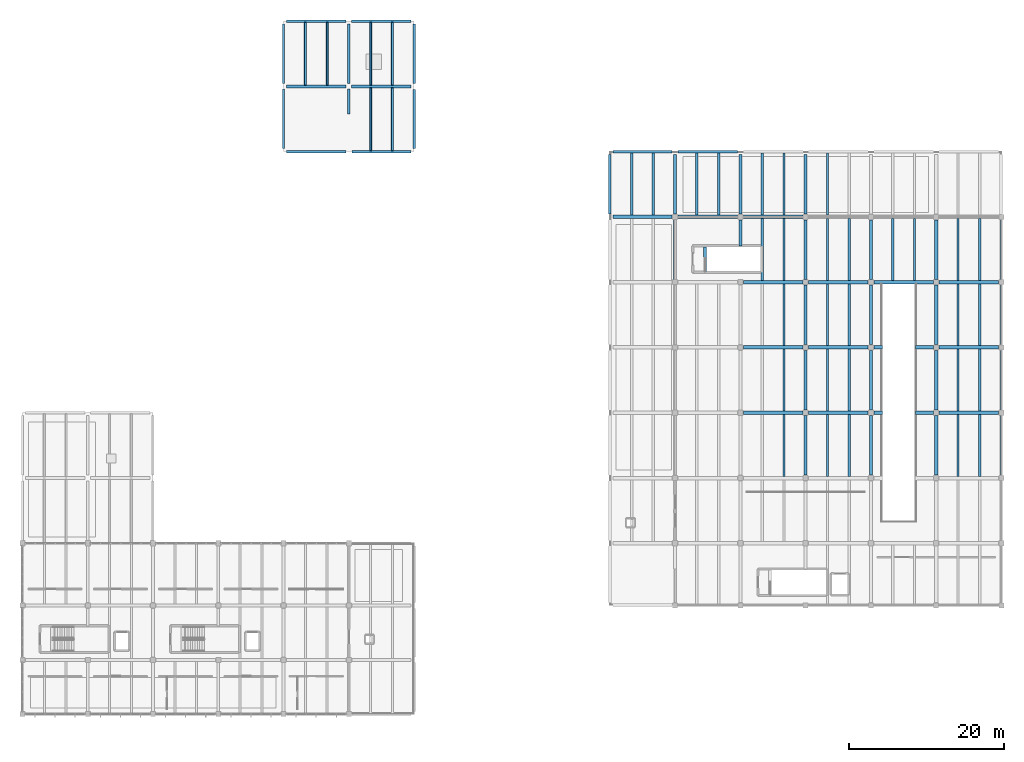
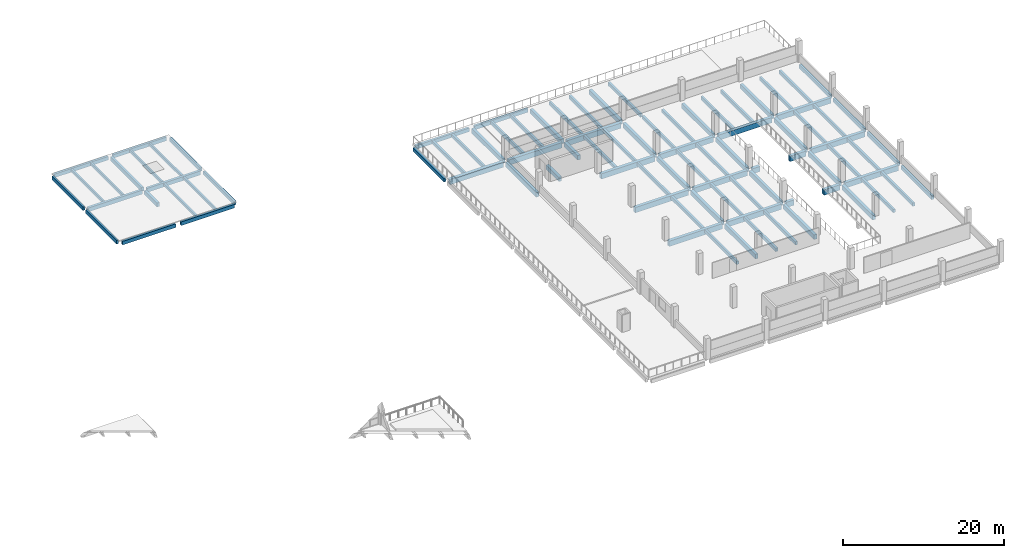
# One storey, part 20 of 33: 90 beams.
"""IFC4 building model written with IfcOpenShell, lengths in metres."""

import ifcopenshell
import ifcopenshell.guid

model = None  # the IFC model being written
_history = None  # IfcOwnerHistory: only IFC2X3 demands one
_inside = {}  # id of a spatial element -> (the spatial element, [elements in it])
_under = {}  # id of a project, library or spatial element -> (it, [spatial elements below it])
_declared = {}  # id of a project -> (the project, [libraries it declares])
_typed = {}  # id of a type object -> (the type object, [elements of that type])
_made_of = {}  # id of a material, layer set ... -> (it, [elements and type objects made of it])


def new_model(schema):
    """Start an empty IFC model of exactly this schema.

    Asked for "IFC4X3", IfcOpenShell would pick the latest addendum, in which some entities
    have other attributes; the version numbers below select the first issue.
    IFC2X3 requires an IfcOwnerHistory on every rooted entity: one is made here for all.
    """
    global model, _history
    if schema == "IFC4X3":
        model = ifcopenshell.file(schema_version=(4, 3, 0, 0))
    else:
        model = ifcopenshell.file(schema=schema)
    _inside.clear()
    _under.clear()
    _declared.clear()
    _typed.clear()
    _made_of.clear()
    _history = None
    if model.schema == "IFC2X3":
        org = make("IfcOrganization", Name="unknown")
        user = make(
            "IfcPersonAndOrganization",
            ThePerson=make("IfcPerson", FamilyName="unknown"),
            TheOrganization=org,
        )
        app = make(
            "IfcApplication",
            ApplicationDeveloper=org,
            Version="unknown",
            ApplicationFullName="unknown",
            ApplicationIdentifier="unknown",
        )
        _history = make(
            "IfcOwnerHistory",
            OwningUser=user,
            OwningApplication=app,
            ChangeAction="ADDED",
            CreationDate=0,
        )
    return model


def make(cls, **values):
    """One entity of the class cls with the attributes given. An attribute that is None is left unset."""
    return model.create_entity(
        cls, **{name: value for name, value in values.items() if value is not None}
    )


def rooted(cls, **values):
    """An entity with a GlobalId (a new one), such as an element, a storey or a relation."""
    return make(cls, GlobalId=ifcopenshell.guid.new(), OwnerHistory=_history, **values)


def si_unit(unit_type, name, prefix=None):
    """IfcSIUnit, for example si_unit("LENGTHUNIT", "METRE", prefix="MILLI")."""
    return make("IfcSIUnit", UnitType=unit_type, Prefix=prefix, Name=name)


def assignment(units):
    """IfcUnitAssignment: the units of a project."""
    return None if units is None else make("IfcUnitAssignment", Units=units)


def point(xyz):
    """IfcCartesianPoint."""
    return None if xyz is None else make("IfcCartesianPoint", Coordinates=xyz)


def direction(xyz):
    """IfcDirection."""
    return None if xyz is None else make("IfcDirection", DirectionRatios=xyz)


def frame(location, z_axis=None, x_axis=None):
    """IfcAxis2Placement3D, a coordinate frame: its origin and axes. An axis left out is left unset."""
    return make(
        "IfcAxis2Placement3D",
        Location=point(location),
        Axis=direction(z_axis),
        RefDirection=direction(x_axis),
    )


def frame_2d(location, x_axis=None):
    """IfcAxis2Placement2D, a coordinate frame in the plane: its origin and x axis."""
    return make(
        "IfcAxis2Placement2D", Location=point(location), RefDirection=direction(x_axis)
    )


def origin():
    """The frame at (0, 0, 0) with its axes left unset."""
    return frame((0.0, 0.0, 0.0))


def origin_2d():
    """The frame at (0, 0) in the plane with its x axis left unset."""
    return frame_2d((0.0, 0.0))


def place(relative_to, where):
    """IfcLocalPlacement: puts the frame where relative to a parent placement (None: the world)."""
    return make(
        "IfcLocalPlacement", PlacementRelTo=relative_to, RelativePlacement=where
    )


def context(
    kind, dimensions, precision=None, world=None, true_north=None, identifier=None
):
    """IfcGeometricRepresentationContext, for example the 3D "Model" context."""
    return make(
        "IfcGeometricRepresentationContext",
        ContextIdentifier=identifier,
        ContextType=kind,
        CoordinateSpaceDimension=dimensions,
        Precision=precision,
        WorldCoordinateSystem=world,
        TrueNorth=true_north,
    )


def subcontext(parent, identifier, kind, view, scale=None):
    """IfcGeometricRepresentationSubContext, for example "Body" below "Model"."""
    return make(
        "IfcGeometricRepresentationSubContext",
        ContextIdentifier=identifier,
        ContextType=kind,
        ParentContext=parent,
        TargetScale=scale,
        TargetView=view,
    )


def project(units=None, contexts=None):
    """IfcProject with its units and contexts."""
    return rooted(
        "IfcProject",
        Name="project",
        RepresentationContexts=contexts,
        UnitsInContext=assignment(units),
    )


def spatial(cls, under=None, at=None, **own):
    """A site, building, storey or space (cls), placed at a placement, below another one or the project."""
    s = rooted(cls, ObjectPlacement=at, **own)
    if under is not None:
        _under.setdefault(under.id(), (under, []))[1].append(s)
    return s


def profile(cls, at=None, kind="AREA", **sizes):
    """A parametric profile (cls). Its sizes go by their IFC names, for example OverallWidth=200.0."""
    return make(cls, ProfileType=kind, Position=at, **sizes)


def rectangle(**sizes):
    """IfcRectangleProfileDef."""
    return profile("IfcRectangleProfileDef", **sizes)


def extrude(swept, where, along, depth):
    """IfcExtrudedAreaSolid: the profile swept, set in the frame where, extruded along a direction by depth."""
    return make(
        "IfcExtrudedAreaSolid",
        SweptArea=swept,
        Position=where,
        ExtrudedDirection=direction(along),
        Depth=depth,
    )


def shape(context_of_items, identifier, shape_type, items):
    """IfcShapeRepresentation: the items that make up one representation, for example the "Body"."""
    return make(
        "IfcShapeRepresentation",
        ContextOfItems=context_of_items,
        RepresentationIdentifier=identifier,
        RepresentationType=shape_type,
        Items=items,
    )


def material(Name=None, Category=None):
    """IfcMaterial."""
    return make("IfcMaterial", Name=Name, Category=Category)


def material_profile(
    of_material, cross_section, Name=None, Category=None, Priority=None
):
    """IfcMaterialProfile: a cross section and its material."""
    return make(
        "IfcMaterialProfile",
        Name=Name,
        Material=of_material,
        Profile=cross_section,
        Priority=Priority,
        Category=Category,
    )


def profile_set(profiles, Name=None, composite=None):
    """IfcMaterialProfileSet."""
    return make(
        "IfcMaterialProfileSet",
        Name=Name,
        MaterialProfiles=profiles,
        CompositeProfile=composite,
    )


def made_of(thing, what):
    """Note that an element or type object is made of a material, layer set ...; save() writes the relation."""
    if what is not None:
        _made_of.setdefault(what.id(), (what, []))[1].append(thing)
    return thing


def type_object(cls, material=None, **own):
    """A type object (cls), such as IfcWallType, which elements share."""
    return made_of(rooted(cls, **own), material)


def element(
    cls,
    number,
    at=None,
    inside=None,
    cuts=None,
    type_object=None,
    material=None,
    context=None,
    identifier="Body",
    shape_type=None,
    held_by="IfcProductDefinitionShape",
    body=None,
    shapes=None,
    **own,
):
    """One element of the class cls, such as IfcWall. Its Tag is "e" and its number.

    at: its placement. inside: the storey or other place that contains it. cuts: it is an
    opening in that element (IfcRelVoidsElement). A single representation is given by context,
    identifier, shape_type and body (its items); several are given by shapes. held_by: the class
    of the entity that holds the representations. save() writes the other relations.
    """
    e = rooted(cls, Tag="e%d" % number, ObjectPlacement=at, **own)
    if body is not None:
        shapes = [shape(context, identifier, shape_type, body)]
    if shapes is not None:
        e.Representation = make(held_by, Representations=shapes)
    if inside is not None:
        _inside.setdefault(inside.id(), (inside, []))[1].append(e)
    if cuts is not None:
        rooted(
            "IfcRelVoidsElement", RelatingBuildingElement=cuts, RelatedOpeningElement=e
        )
    if type_object is not None:
        _typed.setdefault(type_object.id(), (type_object, []))[1].append(e)
    return made_of(e, material)


def aggregate(whole, parts):
    """IfcRelAggregates: a whole, such as a stair, and the parts it consists of."""
    return rooted("IfcRelAggregates", RelatingObject=whole, RelatedObjects=parts)


def save(model, path):
    """Write the relations noted so far, then the file.

    IfcRelAggregates (storeys below a building ...), IfcRelContainedInSpatialStructure (elements
    in a storey), IfcRelDefinesByType, IfcRelAssociatesMaterial and IfcRelDeclares: one each for
    every whole, place, type object, material and project.
    """
    for whole, parts in _under.values():
        aggregate(whole, parts)
    for where, things in _inside.values():
        rooted(
            "IfcRelContainedInSpatialStructure",
            RelatedElements=things,
            RelatingStructure=where,
        )
    for kind, things in _typed.values():
        rooted("IfcRelDefinesByType", RelatedObjects=things, RelatingType=kind)
    for what, things in _made_of.values():
        rooted("IfcRelAssociatesMaterial", RelatedObjects=things, RelatingMaterial=what)
    for by, libraries in _declared.values():
        rooted("IfcRelDeclares", RelatingContext=by, RelatedDefinitions=libraries)
    model.write(path)


model = new_model("IFC4")

# Units and contexts
model_context = context("Model", 3, precision=1e-05, world=origin(), true_north=direction((0.0, 1.0)))
body_context = subcontext(model_context, "Body", "Model", "MODEL_VIEW")
ifc_project = project(units=[si_unit("LENGTHUNIT", "METRE"), si_unit("AREAUNIT", "SQUARE_METRE"), si_unit("VOLUMEUNIT", "CUBIC_METRE"), si_unit("PLANEANGLEUNIT", "RADIAN"), si_unit("MASSUNIT", "GRAM", prefix="KILO"), si_unit("THERMODYNAMICTEMPERATUREUNIT", "KELVIN"), si_unit("POWERUNIT", "WATT")], contexts=[model_context])

# Site, building, storey
site_placement = place(None, origin())
site = spatial("IfcSite", under=ifc_project, at=site_placement, CompositionType="ELEMENT")
building_placement = place(site_placement, origin())
building = spatial("IfcBuilding", under=site, at=building_placement, Name="Mavoryth Pier Ferry Terminal", CompositionType="ELEMENT")
storey_placement = place(building_placement, frame((0.0, 0.0, 13.1201171875)))
storey = spatial("IfcBuildingStorey", under=building, at=storey_placement, Name="L03", CompositionType="ELEMENT", Elevation=13.1201171875)

# Beams
ifc_material = material(Name="Concrete C35/45", Category="concrete")
ifc_material_profile_1 = material_profile(ifc_material, rectangle(XDim=0.35009765625, YDim=0.60009765625, at=origin_2d()), Name="RC 350x600", Category="concrete")
ifc_profile_set_1 = profile_set([ifc_material_profile_1], Name="Concrete C35/45 - RC 350x600")
beam_type_1 = type_object("IfcBeamType", Name="Girder-RC-350x600", PredefinedType="BEAM", material=ifc_profile_set_1)
beam_1_placement = place(storey_placement, frame((75.949951171875, 80.800048828125, -0.460205078125), z_axis=(1.0, 0.0, 0.0), x_axis=(0.0, 1.0, 0.0)))
element("IfcBeam", 1, at=beam_1_placement, inside=storey, type_object=beam_type_1, Name="Beam B03-BG08-1047", PredefinedType="BEAM", context=body_context, shape_type="SweptSolid", body=[
    extrude(rectangle(XDim=0.35009765625, YDim=0.60009765625, at=origin_2d()), origin(), (0.0, 0.0, 1.0), 7.699951171875),
])
beam_2_placement = place(storey_placement, frame((84.35009765625, 80.800048828125, -0.460205078125), z_axis=(1.0, 0.0, 0.0), x_axis=(0.0, 1.0, 0.0)))
element("IfcBeam", 2, at=beam_2_placement, inside=storey, type_object=beam_type_1, Name="Beam B03-BG08-1048", PredefinedType="BEAM", context=body_context, shape_type="SweptSolid", body=[
    extrude(rectangle(XDim=0.35009765625, YDim=0.60009765625, at=origin_2d()), origin(), (0.0, 0.0, 1.0), 7.659912109375),
])
beam_3_placement = place(storey_placement, frame((84.0, 77.280029296875, -0.460205078125), z_axis=(0.0, 1.0, 0.0), x_axis=(-1.0, 0.0, 0.0)))
element("IfcBeam", 3, at=beam_3_placement, inside=storey, type_object=beam_type_1, Name="Beam B03-BG08-1053", PredefinedType="BEAM", context=body_context, shape_type="SweptSolid", body=[
    extrude(rectangle(XDim=0.35009765625, YDim=0.60009765625, at=origin_2d()), origin(), (0.0, 0.0, 1.0), 3.169921875),
])
beam_4_placement = place(storey_placement, frame((84.0, 81.14990234375, -0.460205078125), z_axis=(0.0, 1.0, 0.0), x_axis=(-1.0, 0.0, 0.0)))
element("IfcBeam", 4, at=beam_4_placement, inside=storey, type_object=beam_type_1, Name="Beam B03-BG08-1054", PredefinedType="BEAM", context=body_context, shape_type="SweptSolid", body=[
    extrude(rectangle(XDim=0.35009765625, YDim=0.60009765625, at=origin_2d()), origin(), (0.0, 0.0, 1.0), 7.7001953125),
])
ifc_material_profile_2 = material_profile(ifc_material, rectangle(XDim=0.39990234375, YDim=0.64990234375, at=origin_2d()), Name="RC 400x650", Category="concrete")
ifc_profile_set_2 = profile_set([ifc_material_profile_2], Name="Concrete C35/45 - RC 400x650")
beam_type_2 = type_object("IfcBeamType", Name="Girder-RC-400x650", PredefinedType="BEAM", material=ifc_profile_set_2)
beam_5_placement = place(storey_placement, frame((129.820068359375, 57.0, -0.3251953125), z_axis=(0.0, 1.0, 0.0), x_axis=(-1.0, 0.0, 0.0)))
element("IfcBeam", 5, at=beam_5_placement, inside=storey, type_object=beam_type_2, Name="Beam B03-BG05-1583", PredefinedType="BEAM", context=body_context, shape_type="SweptSolid", body=[
    extrude(rectangle(XDim=0.39990234375, YDim=0.64990234375, at=origin_2d()), origin(), (0.0, 0.0, 1.0), 3.14990234375),
])
ifc_material_profile_3 = material_profile(ifc_material, rectangle(XDim=0.39990234375, YDim=0.699951171875, at=origin_2d()), Name="RC 400x700", Category="concrete")
ifc_profile_set_3 = profile_set([ifc_material_profile_3], Name="Concrete C35/45 - RC 400x700")
beam_type_3 = type_object("IfcBeamType", Name="Girder-RC-400x700", PredefinedType="BEAM", material=ifc_profile_set_3)
for number, where, z_axis, x_axis, name in (
    (6, (126.0, 55.97509765625, -0.710205078125), (0.0, 1.0, 0.0), (-1.0, 0.0, 0.0), "Beam B03-BG04-1126"),
    (7, (126.0, 64.375, -0.710205078125), (0.0, 1.0, 0.0), (-1.0, 0.0, 0.0), "Beam B03-BG04-1127"),
):
    element("IfcBeam", number, at=place(storey_placement, frame(where, z_axis=z_axis, x_axis=x_axis)), inside=storey, type_object=beam_type_3, Name=name, PredefinedType="BEAM", context=body_context, shape_type="SweptSolid", body=[
        extrude(rectangle(XDim=0.39990234375, YDim=0.699951171875, at=origin_2d()), origin(), (0.0, 0.0, 1.0), 7.64990234375),
    ])
beam_6_placement = place(storey_placement, frame((134.39990234375, 60.280029296875, -0.650146484375), z_axis=(0.0, 1.0, 0.0), x_axis=(-1.0, 0.0, 0.0)))
element("IfcBeam", 8, at=beam_6_placement, inside=storey, type_object=beam_type_3, Name="Beam B03-BG04-1133", PredefinedType="BEAM", context=body_context, shape_type="SweptSolid", body=[
    extrude(rectangle(XDim=0.39990234375, YDim=0.699951171875, at=origin_2d()), origin(), (0.0, 0.0, 1.0), 3.344970703125),
])
beam_7_placement = place(storey_placement, frame((134.39990234375, 64.375, -0.710205078125), z_axis=(0.0, 1.0, 0.0), x_axis=(-1.0, 0.0, 0.0)))
element("IfcBeam", 9, at=beam_7_placement, inside=storey, type_object=beam_type_3, Name="Beam B03-BG04-1134", PredefinedType="BEAM", context=body_context, shape_type="SweptSolid", body=[
    extrude(rectangle(XDim=0.39990234375, YDim=0.699951171875, at=origin_2d()), origin(), (0.0, 0.0, 1.0), 7.64990234375),
])
beam_8_placement = place(storey_placement, frame((142.800048828125, 30.77490234375, -0.650146484375), z_axis=(0.0, 1.0, 0.0), x_axis=(-1.0, 0.0, 0.0)))
element("IfcBeam", 10, at=beam_8_placement, inside=storey, type_object=beam_type_3, Name="Beam B03-BG04-1137", PredefinedType="BEAM", context=body_context, shape_type="SweptSolid", body=[
    extrude(rectangle(XDim=0.39990234375, YDim=0.699951171875, at=origin_2d()), origin(), (0.0, 0.0, 1.0), 7.650146484375),
])
beam_9_placement = place(storey_placement, frame((142.800048828125, 39.175048828125, -0.650146484375), z_axis=(0.0, 1.0, 0.0), x_axis=(-1.0, 0.0, 0.0)))
element("IfcBeam", 11, at=beam_9_placement, inside=storey, type_object=beam_type_3, Name="Beam B03-BG04-1138", PredefinedType="BEAM", context=body_context, shape_type="SweptSolid", body=[
    extrude(rectangle(XDim=0.39990234375, YDim=0.699951171875, at=origin_2d()), origin(), (0.0, 0.0, 1.0), 7.64990234375),
])
beam_10_placement = place(storey_placement, frame((142.800048828125, 47.574951171875, -0.650146484375), z_axis=(0.0, 1.0, 0.0), x_axis=(-1.0, 0.0, 0.0)))
element("IfcBeam", 12, at=beam_10_placement, inside=storey, type_object=beam_type_3, Name="Beam B03-BG04-1139", PredefinedType="BEAM", context=body_context, shape_type="SweptSolid", body=[
    extrude(rectangle(XDim=0.39990234375, YDim=0.699951171875, at=origin_2d()), origin(), (0.0, 0.0, 1.0), 7.650146484375),
])
for number, where, z_axis, x_axis, name in (
    (13, (142.800048828125, 55.97509765625, -0.650146484375), (0.0, 1.0, 0.0), (-1.0, 0.0, 0.0), "Beam B03-BG04-1140"),
    (14, (142.800048828125, 64.375, -0.710205078125), (0.0, 1.0, 0.0), (-1.0, 0.0, 0.0), "Beam B03-BG04-1141"),
):
    element("IfcBeam", number, at=place(storey_placement, frame(where, z_axis=z_axis, x_axis=x_axis)), inside=storey, type_object=beam_type_3, Name=name, PredefinedType="BEAM", context=body_context, shape_type="SweptSolid", body=[
        extrude(rectangle(XDim=0.39990234375, YDim=0.699951171875, at=origin_2d()), origin(), (0.0, 0.0, 1.0), 7.64990234375),
    ])
beam_11_placement = place(storey_placement, frame((151.199951171875, 30.77490234375, -0.650146484375), z_axis=(0.0, 1.0, 0.0), x_axis=(-1.0, 0.0, 0.0)))
element("IfcBeam", 15, at=beam_11_placement, inside=storey, type_object=beam_type_3, Name="Beam B03-BG04-1144", PredefinedType="BEAM", context=body_context, shape_type="SweptSolid", body=[
    extrude(rectangle(XDim=0.39990234375, YDim=0.699951171875, at=origin_2d()), origin(), (0.0, 0.0, 1.0), 7.650146484375),
])
beam_12_placement = place(storey_placement, frame((151.199951171875, 39.175048828125, -0.650146484375), z_axis=(0.0, 1.0, 0.0), x_axis=(-1.0, 0.0, 0.0)))
element("IfcBeam", 16, at=beam_12_placement, inside=storey, type_object=beam_type_3, Name="Beam B03-BG04-1145", PredefinedType="BEAM", context=body_context, shape_type="SweptSolid", body=[
    extrude(rectangle(XDim=0.39990234375, YDim=0.699951171875, at=origin_2d()), origin(), (0.0, 0.0, 1.0), 7.64990234375),
])
beam_13_placement = place(storey_placement, frame((151.199951171875, 47.574951171875, -0.650146484375), z_axis=(0.0, 1.0, 0.0), x_axis=(-1.0, 0.0, 0.0)))
element("IfcBeam", 17, at=beam_13_placement, inside=storey, type_object=beam_type_3, Name="Beam B03-BG04-1146", PredefinedType="BEAM", context=body_context, shape_type="SweptSolid", body=[
    extrude(rectangle(XDim=0.39990234375, YDim=0.699951171875, at=origin_2d()), origin(), (0.0, 0.0, 1.0), 7.650146484375),
])
beam_14_placement = place(storey_placement, frame((151.199951171875, 55.97509765625, -0.650146484375), z_axis=(0.0, 1.0, 0.0), x_axis=(-1.0, 0.0, 0.0)))
element("IfcBeam", 18, at=beam_14_placement, inside=storey, type_object=beam_type_3, Name="Beam B03-BG04-1147", PredefinedType="BEAM", context=body_context, shape_type="SweptSolid", body=[
    extrude(rectangle(XDim=0.39990234375, YDim=0.699951171875, at=origin_2d()), origin(), (0.0, 0.0, 1.0), 7.64990234375),
])
beam_15_placement = place(storey_placement, frame((159.60009765625, 30.77490234375, -0.650146484375), z_axis=(0.0, 1.0, 0.0), x_axis=(-1.0, 0.0, 0.0)))
element("IfcBeam", 19, at=beam_15_placement, inside=storey, type_object=beam_type_3, Name="Beam B03-BG04-1151", PredefinedType="BEAM", context=body_context, shape_type="SweptSolid", body=[
    extrude(rectangle(XDim=0.39990234375, YDim=0.699951171875, at=origin_2d()), origin(), (0.0, 0.0, 1.0), 7.650146484375),
])
beam_16_placement = place(storey_placement, frame((159.60009765625, 39.175048828125, -0.650146484375), z_axis=(0.0, 1.0, 0.0), x_axis=(-1.0, 0.0, 0.0)))
element("IfcBeam", 20, at=beam_16_placement, inside=storey, type_object=beam_type_3, Name="Beam B03-BG04-1152", PredefinedType="BEAM", context=body_context, shape_type="SweptSolid", body=[
    extrude(rectangle(XDim=0.39990234375, YDim=0.699951171875, at=origin_2d()), origin(), (0.0, 0.0, 1.0), 7.64990234375),
])
beam_17_placement = place(storey_placement, frame((159.60009765625, 47.574951171875, -0.650146484375), z_axis=(0.0, 1.0, 0.0), x_axis=(-1.0, 0.0, 0.0)))
element("IfcBeam", 21, at=beam_17_placement, inside=storey, type_object=beam_type_3, Name="Beam B03-BG04-1153", PredefinedType="BEAM", context=body_context, shape_type="SweptSolid", body=[
    extrude(rectangle(XDim=0.39990234375, YDim=0.699951171875, at=origin_2d()), origin(), (0.0, 0.0, 1.0), 7.650146484375),
])
beam_18_placement = place(storey_placement, frame((159.60009765625, 55.97509765625, -0.650146484375), z_axis=(0.0, 1.0, 0.0), x_axis=(-1.0, 0.0, 0.0)))
element("IfcBeam", 22, at=beam_18_placement, inside=storey, type_object=beam_type_3, Name="Beam B03-BG04-1154", PredefinedType="BEAM", context=body_context, shape_type="SweptSolid", body=[
    extrude(rectangle(XDim=0.39990234375, YDim=0.699951171875, at=origin_2d()), origin(), (0.0, 0.0, 1.0), 7.64990234375),
])
ifc_material_profile_4 = material_profile(ifc_material, rectangle(XDim=0.449951171875, YDim=0.800048828125, at=origin_2d()), Name="RC 450x800", Category="concrete")
ifc_profile_set_4 = profile_set([ifc_material_profile_4], Name="Concrete C35/45 - RC 450x800")
beam_type_4 = type_object("IfcBeamType", Name="Girder-RC-450x800", PredefinedType="BEAM", material=ifc_profile_set_4)
beam_19_placement = place(storey_placement, frame((134.77490234375, 38.800048828125, -0.7001953125), z_axis=(1.0, 0.0, 0.0), x_axis=(0.0, 1.0, 0.0)))
element("IfcBeam", 23, at=beam_19_placement, inside=storey, type_object=beam_type_4, Name="Beam B03-BG01-1084", PredefinedType="BEAM", context=body_context, shape_type="SweptSolid", body=[
    extrude(rectangle(XDim=0.449951171875, YDim=0.800048828125, at=origin_2d()), origin(), (0.0, 0.0, 1.0), 7.650146484375),
])
beam_20_placement = place(storey_placement, frame((143.175048828125, 38.800048828125, -0.7001953125), z_axis=(1.0, 0.0, 0.0), x_axis=(0.0, 1.0, 0.0)))
element("IfcBeam", 24, at=beam_20_placement, inside=storey, type_object=beam_type_4, Name="Beam B03-BG01-1085", PredefinedType="BEAM", context=body_context, shape_type="SweptSolid", body=[
    extrude(rectangle(XDim=0.449951171875, YDim=0.800048828125, at=origin_2d()), origin(), (0.0, 0.0, 1.0), 7.64990234375),
])
beam_21_placement = place(storey_placement, frame((151.574951171875, 38.800048828125, -0.7001953125), z_axis=(1.0, 0.0, 0.0), x_axis=(0.0, 1.0, 0.0)))
element("IfcBeam", 25, at=beam_21_placement, inside=storey, type_object=beam_type_4, Name="Beam B03-BG01-1086", PredefinedType="BEAM", context=body_context, shape_type="SweptSolid", body=[
    extrude(rectangle(XDim=0.449951171875, YDim=0.800048828125, at=origin_2d()), origin(), (0.0, 0.0, 1.0), 1.0849609375),
])
beam_22_placement = place(storey_placement, frame((156.93994140625, 38.800048828125, -0.7001953125), z_axis=(1.0, 0.0, 0.0), x_axis=(0.0, 1.0, 0.0)))
element("IfcBeam", 26, at=beam_22_placement, inside=storey, type_object=beam_type_4, Name="Beam B03-BG01-1087", PredefinedType="BEAM", context=body_context, shape_type="SweptSolid", body=[
    extrude(rectangle(XDim=0.449951171875, YDim=0.800048828125, at=origin_2d()), origin(), (0.0, 0.0, 1.0), 2.28515625),
])
beam_23_placement = place(storey_placement, frame((159.97509765625, 38.800048828125, -0.7001953125), z_axis=(1.0, 0.0, 0.0), x_axis=(0.0, 1.0, 0.0)))
element("IfcBeam", 27, at=beam_23_placement, inside=storey, type_object=beam_type_4, Name="Beam B03-BG01-1088", PredefinedType="BEAM", context=body_context, shape_type="SweptSolid", body=[
    extrude(rectangle(XDim=0.449951171875, YDim=0.800048828125, at=origin_2d()), origin(), (0.0, 0.0, 1.0), 7.64990234375),
])
beam_24_placement = place(storey_placement, frame((134.77490234375, 47.199951171875, -0.7001953125), z_axis=(1.0, 0.0, 0.0), x_axis=(0.0, 1.0, 0.0)))
element("IfcBeam", 28, at=beam_24_placement, inside=storey, type_object=beam_type_4, Name="Beam B03-BG01-1091", PredefinedType="BEAM", context=body_context, shape_type="SweptSolid", body=[
    extrude(rectangle(XDim=0.449951171875, YDim=0.800048828125, at=origin_2d()), origin(), (0.0, 0.0, 1.0), 7.650146484375),
])
beam_25_placement = place(storey_placement, frame((143.175048828125, 47.199951171875, -0.7001953125), z_axis=(1.0, 0.0, 0.0), x_axis=(0.0, 1.0, 0.0)))
element("IfcBeam", 29, at=beam_25_placement, inside=storey, type_object=beam_type_4, Name="Beam B03-BG01-1092", PredefinedType="BEAM", context=body_context, shape_type="SweptSolid", body=[
    extrude(rectangle(XDim=0.449951171875, YDim=0.800048828125, at=origin_2d()), origin(), (0.0, 0.0, 1.0), 7.64990234375),
])
beam_26_placement = place(storey_placement, frame((151.574951171875, 47.199951171875, -0.7001953125), z_axis=(1.0, 0.0, 0.0), x_axis=(0.0, 1.0, 0.0)))
element("IfcBeam", 30, at=beam_26_placement, inside=storey, type_object=beam_type_4, Name="Beam B03-BG01-1093", PredefinedType="BEAM", context=body_context, shape_type="SweptSolid", body=[
    extrude(rectangle(XDim=0.449951171875, YDim=0.800048828125, at=origin_2d()), origin(), (0.0, 0.0, 1.0), 1.0849609375),
])
beam_27_placement = place(storey_placement, frame((156.93994140625, 47.199951171875, -0.7001953125), z_axis=(1.0, 0.0, 0.0), x_axis=(0.0, 1.0, 0.0)))
element("IfcBeam", 31, at=beam_27_placement, inside=storey, type_object=beam_type_4, Name="Beam B03-BG01-1094", PredefinedType="BEAM", context=body_context, shape_type="SweptSolid", body=[
    extrude(rectangle(XDim=0.449951171875, YDim=0.800048828125, at=origin_2d()), origin(), (0.0, 0.0, 1.0), 2.28515625),
])
beam_28_placement = place(storey_placement, frame((159.97509765625, 47.199951171875, -0.7001953125), z_axis=(1.0, 0.0, 0.0), x_axis=(0.0, 1.0, 0.0)))
element("IfcBeam", 32, at=beam_28_placement, inside=storey, type_object=beam_type_4, Name="Beam B03-BG01-1095", PredefinedType="BEAM", context=body_context, shape_type="SweptSolid", body=[
    extrude(rectangle(XDim=0.449951171875, YDim=0.800048828125, at=origin_2d()), origin(), (0.0, 0.0, 1.0), 7.64990234375),
])
beam_29_placement = place(storey_placement, frame((134.77490234375, 55.60009765625, -0.7001953125), z_axis=(1.0, 0.0, 0.0), x_axis=(0.0, 1.0, 0.0)))
element("IfcBeam", 33, at=beam_29_placement, inside=storey, type_object=beam_type_4, Name="Beam B03-BG01-1098", PredefinedType="BEAM", context=body_context, shape_type="SweptSolid", body=[
    extrude(rectangle(XDim=0.449951171875, YDim=0.800048828125, at=origin_2d()), origin(), (0.0, 0.0, 1.0), 7.650146484375),
])
beam_30_placement = place(storey_placement, frame((143.175048828125, 55.60009765625, -0.7001953125), z_axis=(1.0, 0.0, 0.0), x_axis=(0.0, 1.0, 0.0)))
element("IfcBeam", 34, at=beam_30_placement, inside=storey, type_object=beam_type_4, Name="Beam B03-BG01-1099", PredefinedType="BEAM", context=body_context, shape_type="SweptSolid", body=[
    extrude(rectangle(XDim=0.449951171875, YDim=0.800048828125, at=origin_2d()), origin(), (0.0, 0.0, 1.0), 7.64990234375),
])
beam_31_placement = place(storey_placement, frame((151.574951171875, 55.60009765625, -0.7001953125), z_axis=(1.0, 0.0, 0.0), x_axis=(0.0, 1.0, 0.0)))
element("IfcBeam", 35, at=beam_31_placement, inside=storey, type_object=beam_type_4, Name="Beam B03-BG01-1100", PredefinedType="BEAM", context=body_context, shape_type="SweptSolid", body=[
    extrude(rectangle(XDim=0.449951171875, YDim=0.800048828125, at=origin_2d()), origin(), (0.0, 0.0, 1.0), 7.650146484375),
])
for number, where, z_axis, x_axis, name in (
    (36, (159.97509765625, 55.60009765625, -0.7001953125), (1.0, 0.0, 0.0), (0.0, 1.0, 0.0), "Beam B03-BG01-1101"),
    (37, (117.97509765625, 64.0, -0.760009765625), (1.0, 0.0, 0.0), (0.0, 1.0, 0.0), "Beam B03-BG01-1102"),
    (38, (126.375, 64.0, -0.760009765625), (1.0, 0.0, 0.0), (0.0, 1.0, 0.0), "Beam B03-BG01-1103"),
):
    element("IfcBeam", number, at=place(storey_placement, frame(where, z_axis=z_axis, x_axis=x_axis)), inside=storey, type_object=beam_type_4, Name=name, PredefinedType="BEAM", context=body_context, shape_type="SweptSolid", body=[
        extrude(rectangle(XDim=0.449951171875, YDim=0.800048828125, at=origin_2d()), origin(), (0.0, 0.0, 1.0), 7.64990234375),
    ])
beam_32_placement = place(storey_placement, frame((134.77490234375, 64.0, -0.760009765625), z_axis=(1.0, 0.0, 0.0), x_axis=(0.0, 1.0, 0.0)))
element("IfcBeam", 39, at=beam_32_placement, inside=storey, type_object=beam_type_4, Name="Beam B03-BG01-1104", PredefinedType="BEAM", context=body_context, shape_type="SweptSolid", body=[
    extrude(rectangle(XDim=0.449951171875, YDim=0.800048828125, at=origin_2d()), origin(), (0.0, 0.0, 1.0), 7.650146484375),
])
ifc_material_profile_5 = material_profile(ifc_material, rectangle(XDim=0.239990234375, YDim=0.419921875, at=origin_2d()), Name="RC 240x420", Category="concrete")
ifc_profile_set_5 = profile_set([ifc_material_profile_5], Name="Concrete C35/45 - RC 240x420")
beam_type_5 = type_object("IfcBeamType", Name="Joist-RC-240x420", PredefinedType="JOIST", material=ifc_profile_set_5)
for number, where, z_axis, x_axis, name in (
    (40, (78.39990234375, 80.97509765625, -0.3701171875), (0.0, 1.0, 0.0), (-1.0, 0.0, 0.0), "Beam B03-BJ04-1057"),
    (41, (81.199951171875, 80.97509765625, -0.3701171875), (0.0, 1.0, 0.0), (-1.0, 0.0, 0.0), "Beam B03-BJ04-1058"),
    (42, (86.800048828125, 72.550048828125, -0.3701171875), (0.0, 1.0, 0.0), (-1.0, 0.0, 0.0), "Beam B03-BJ04-1059"),
    (43, (89.60009765625, 72.550048828125, -0.3701171875), (0.0, 1.0, 0.0), (-1.0, 0.0, 0.0), "Beam B03-BJ04-1060"),
    (44, (86.800048828125, 80.97509765625, -0.3701171875), (0.0, 1.0, 0.0), (-1.0, 0.0, 0.0), "Beam B03-BJ04-1061"),
    (45, (89.60009765625, 80.97509765625, -0.3701171875), (0.0, 1.0, 0.0), (-1.0, 0.0, 0.0), "Beam B03-BJ04-1062"),
):
    element("IfcBeam", number, at=place(storey_placement, frame(where, z_axis=z_axis, x_axis=x_axis)), inside=storey, type_object=beam_type_5, Name=name, PredefinedType="JOIST", context=body_context, shape_type="SweptSolid", body=[
        extrude(rectangle(XDim=0.239990234375, YDim=0.419921875, at=origin_2d()), origin(), (0.0, 0.0, 1.0), 8.074951171875),
    ])
ifc_material_profile_6 = material_profile(ifc_material, rectangle(XDim=0.300048828125, YDim=0.5, at=origin_2d()), Name="RC 300x500", Category="concrete")
ifc_profile_set_6 = profile_set([ifc_material_profile_6], Name="Concrete C35/45 - RC 300x500")
beam_type_6 = type_object("IfcBeamType", Name="Joist-RC-300x500", PredefinedType="JOIST", material=ifc_profile_set_6)
for number, where, z_axis, x_axis, name in (
    (46, (120.39990234375, 64.22509765625, -0.610107421875), (0.0, 1.0, 0.0), (-1.0, 0.0, 0.0), "Beam B03-BJ01-1173"),
    (47, (123.199951171875, 64.22509765625, -0.610107421875), (0.0, 1.0, 0.0), (-1.0, 0.0, 0.0), "Beam B03-BJ01-1174"),
    (48, (128.800048828125, 64.22509765625, -0.610107421875), (0.0, 1.0, 0.0), (-1.0, 0.0, 0.0), "Beam B03-BJ01-1185"),
    (49, (131.60009765625, 64.22509765625, -0.610107421875), (0.0, 1.0, 0.0), (-1.0, 0.0, 0.0), "Beam B03-BJ01-1186"),
):
    element("IfcBeam", number, at=place(storey_placement, frame(where, z_axis=z_axis, x_axis=x_axis)), inside=storey, type_object=beam_type_6, Name=name, PredefinedType="JOIST", context=body_context, shape_type="SweptSolid", body=[
        extrude(rectangle(XDim=0.300048828125, YDim=0.5, at=origin_2d()), origin(), (0.0, 0.0, 1.0), 8.014892578125),
    ])
beam_33_placement = place(storey_placement, frame((140.0, 30.625, -0.550048828125), z_axis=(0.0, 1.0, 0.0), x_axis=(-1.0, 0.0, 0.0)))
element("IfcBeam", 50, at=beam_33_placement, inside=storey, type_object=beam_type_6, Name="Beam B03-BJ01-1190", PredefinedType="JOIST", context=body_context, shape_type="SweptSolid", body=[
    extrude(rectangle(XDim=0.300048828125, YDim=0.5, at=origin_2d()), origin(), (0.0, 0.0, 1.0), 7.949951171875),
])
beam_34_placement = place(storey_placement, frame((140.0, 39.02490234375, -0.550048828125), z_axis=(0.0, 1.0, 0.0), x_axis=(-1.0, 0.0, 0.0)))
element("IfcBeam", 51, at=beam_34_placement, inside=storey, type_object=beam_type_6, Name="Beam B03-BJ01-1192", PredefinedType="JOIST", context=body_context, shape_type="SweptSolid", body=[
    extrude(rectangle(XDim=0.300048828125, YDim=0.5, at=origin_2d()), origin(), (0.0, 0.0, 1.0), 7.9501953125),
])
for number, where, z_axis, x_axis, name in (
    (52, (140.0, 47.425048828125, -0.550048828125), (0.0, 1.0, 0.0), (-1.0, 0.0, 0.0), "Beam B03-BJ01-1194"),
    (53, (137.199951171875, 55.824951171875, -0.550048828125), (0.0, 1.0, 0.0), (-1.0, 0.0, 0.0), "Beam B03-BJ01-1195"),
    (54, (140.0, 55.824951171875, -0.550048828125), (0.0, 1.0, 0.0), (-1.0, 0.0, 0.0), "Beam B03-BJ01-1196"),
):
    element("IfcBeam", number, at=place(storey_placement, frame(where, z_axis=z_axis, x_axis=x_axis)), inside=storey, type_object=beam_type_6, Name=name, PredefinedType="JOIST", context=body_context, shape_type="SweptSolid", body=[
        extrude(rectangle(XDim=0.300048828125, YDim=0.5, at=origin_2d()), origin(), (0.0, 0.0, 1.0), 7.949951171875),
    ])
for number, where, z_axis, x_axis, name in (
    (55, (137.199951171875, 64.22509765625, -0.610107421875), (0.0, 1.0, 0.0), (-1.0, 0.0, 0.0), "Beam B03-BJ01-1197"),
    (56, (140.0, 64.22509765625, -0.610107421875), (0.0, 1.0, 0.0), (-1.0, 0.0, 0.0), "Beam B03-BJ01-1198"),
):
    element("IfcBeam", number, at=place(storey_placement, frame(where, z_axis=z_axis, x_axis=x_axis)), inside=storey, type_object=beam_type_6, Name=name, PredefinedType="JOIST", context=body_context, shape_type="SweptSolid", body=[
        extrude(rectangle(XDim=0.300048828125, YDim=0.5, at=origin_2d()), origin(), (0.0, 0.0, 1.0), 8.014892578125),
    ])
for number, where, z_axis, x_axis, name in (
    (57, (145.60009765625, 30.625, -0.550048828125), (0.0, 1.0, 0.0), (-1.0, 0.0, 0.0), "Beam B03-BJ01-1203"),
    (58, (148.39990234375, 30.625, -0.550048828125), (0.0, 1.0, 0.0), (-1.0, 0.0, 0.0), "Beam B03-BJ01-1204"),
):
    element("IfcBeam", number, at=place(storey_placement, frame(where, z_axis=z_axis, x_axis=x_axis)), inside=storey, type_object=beam_type_6, Name=name, PredefinedType="JOIST", context=body_context, shape_type="SweptSolid", body=[
        extrude(rectangle(XDim=0.300048828125, YDim=0.5, at=origin_2d()), origin(), (0.0, 0.0, 1.0), 7.949951171875),
    ])
for number, where, z_axis, x_axis, name in (
    (59, (145.60009765625, 39.02490234375, -0.550048828125), (0.0, 1.0, 0.0), (-1.0, 0.0, 0.0), "Beam B03-BJ01-1205"),
    (60, (148.39990234375, 39.02490234375, -0.550048828125), (0.0, 1.0, 0.0), (-1.0, 0.0, 0.0), "Beam B03-BJ01-1206"),
):
    element("IfcBeam", number, at=place(storey_placement, frame(where, z_axis=z_axis, x_axis=x_axis)), inside=storey, type_object=beam_type_6, Name=name, PredefinedType="JOIST", context=body_context, shape_type="SweptSolid", body=[
        extrude(rectangle(XDim=0.300048828125, YDim=0.5, at=origin_2d()), origin(), (0.0, 0.0, 1.0), 7.9501953125),
    ])
for number, where, z_axis, x_axis, name in (
    (61, (145.60009765625, 47.425048828125, -0.550048828125), (0.0, 1.0, 0.0), (-1.0, 0.0, 0.0), "Beam B03-BJ01-1207"),
    (62, (148.39990234375, 47.425048828125, -0.550048828125), (0.0, 1.0, 0.0), (-1.0, 0.0, 0.0), "Beam B03-BJ01-1208"),
    (63, (145.60009765625, 55.824951171875, -0.550048828125), (0.0, 1.0, 0.0), (-1.0, 0.0, 0.0), "Beam B03-BJ01-1209"),
    (64, (148.39990234375, 55.824951171875, -0.550048828125), (0.0, 1.0, 0.0), (-1.0, 0.0, 0.0), "Beam B03-BJ01-1210"),
):
    element("IfcBeam", number, at=place(storey_placement, frame(where, z_axis=z_axis, x_axis=x_axis)), inside=storey, type_object=beam_type_6, Name=name, PredefinedType="JOIST", context=body_context, shape_type="SweptSolid", body=[
        extrude(rectangle(XDim=0.300048828125, YDim=0.5, at=origin_2d()), origin(), (0.0, 0.0, 1.0), 7.949951171875),
    ])
beam_35_placement = place(storey_placement, frame((145.60009765625, 64.22509765625, -0.610107421875), z_axis=(0.0, 1.0, 0.0), x_axis=(-1.0, 0.0, 0.0)))
element("IfcBeam", 65, at=beam_35_placement, inside=storey, type_object=beam_type_6, Name="Beam B03-BJ01-1211", PredefinedType="JOIST", context=body_context, shape_type="SweptSolid", body=[
    extrude(rectangle(XDim=0.300048828125, YDim=0.5, at=origin_2d()), origin(), (0.0, 0.0, 1.0), 8.014892578125),
])
for number, where, z_axis, x_axis, name in (
    (66, (154.0, 55.824951171875, -0.550048828125), (0.0, 1.0, 0.0), (-1.0, 0.0, 0.0), "Beam B03-BJ01-1215"),
    (67, (156.800048828125, 55.824951171875, -0.550048828125), (0.0, 1.0, 0.0), (-1.0, 0.0, 0.0), "Beam B03-BJ01-1216"),
    (68, (162.39990234375, 30.625, -0.550048828125), (0.0, 1.0, 0.0), (-1.0, 0.0, 0.0), "Beam B03-BJ01-1223"),
    (69, (165.199951171875, 30.625, -0.550048828125), (0.0, 1.0, 0.0), (-1.0, 0.0, 0.0), "Beam B03-BJ01-1224"),
):
    element("IfcBeam", number, at=place(storey_placement, frame(where, z_axis=z_axis, x_axis=x_axis)), inside=storey, type_object=beam_type_6, Name=name, PredefinedType="JOIST", context=body_context, shape_type="SweptSolid", body=[
        extrude(rectangle(XDim=0.300048828125, YDim=0.5, at=origin_2d()), origin(), (0.0, 0.0, 1.0), 7.949951171875),
    ])
for number, where, z_axis, x_axis, name in (
    (70, (162.39990234375, 39.02490234375, -0.550048828125), (0.0, 1.0, 0.0), (-1.0, 0.0, 0.0), "Beam B03-BJ01-1225"),
    (71, (165.199951171875, 39.02490234375, -0.550048828125), (0.0, 1.0, 0.0), (-1.0, 0.0, 0.0), "Beam B03-BJ01-1226"),
):
    element("IfcBeam", number, at=place(storey_placement, frame(where, z_axis=z_axis, x_axis=x_axis)), inside=storey, type_object=beam_type_6, Name=name, PredefinedType="JOIST", context=body_context, shape_type="SweptSolid", body=[
        extrude(rectangle(XDim=0.300048828125, YDim=0.5, at=origin_2d()), origin(), (0.0, 0.0, 1.0), 7.9501953125),
    ])
for number, where, z_axis, x_axis, name in (
    (72, (162.39990234375, 47.425048828125, -0.550048828125), (0.0, 1.0, 0.0), (-1.0, 0.0, 0.0), "Beam B03-BJ01-1227"),
    (73, (165.199951171875, 47.425048828125, -0.550048828125), (0.0, 1.0, 0.0), (-1.0, 0.0, 0.0), "Beam B03-BJ01-1228"),
    (74, (162.39990234375, 55.824951171875, -0.550048828125), (0.0, 1.0, 0.0), (-1.0, 0.0, 0.0), "Beam B03-BJ01-1229"),
    (75, (165.199951171875, 55.824951171875, -0.550048828125), (0.0, 1.0, 0.0), (-1.0, 0.0, 0.0), "Beam B03-BJ01-1230"),
):
    element("IfcBeam", number, at=place(storey_placement, frame(where, z_axis=z_axis, x_axis=x_axis)), inside=storey, type_object=beam_type_6, Name=name, PredefinedType="JOIST", context=body_context, shape_type="SweptSolid", body=[
        extrude(rectangle(XDim=0.300048828125, YDim=0.5, at=origin_2d()), origin(), (0.0, 0.0, 1.0), 7.949951171875),
    ])
ifc_material_profile_7 = material_profile(ifc_material, rectangle(XDim=0.300048828125, YDim=0.5400390625, at=origin_2d()), Name="RC 300x540", Category="concrete")
ifc_profile_set_7 = profile_set([ifc_material_profile_7], Name="Concrete C35/45 - RC 300x540")
beam_type_7 = type_object("IfcBeamType", Name="Spandrel-RC-300x540", PredefinedType="SPANDREL", material=ifc_profile_set_7)
for number, where, z_axis, x_axis, name in (
    (76, (75.989990234375, 72.39990234375, -0.43017578125), (1.0, 0.0, 0.0), (0.0, 1.0, 0.0), "Beam B03-SP02-1045"),
    (77, (84.389892578125, 72.39990234375, -0.43017578125), (1.0, 0.0, 0.0), (0.0, 1.0, 0.0), "Beam B03-SP02-1046"),
):
    element("IfcBeam", number, at=place(storey_placement, frame(where, z_axis=z_axis, x_axis=x_axis)), inside=storey, type_object=beam_type_7, Name=name, PredefinedType="SPANDREL", context=body_context, shape_type="SweptSolid", body=[
        extrude(rectangle(XDim=0.300048828125, YDim=0.5400390625, at=origin_2d()), origin(), (0.0, 0.0, 1.0), 7.6201171875),
    ])
beam_36_placement = place(storey_placement, frame((75.949951171875, 89.199951171875, -0.43017578125), z_axis=(1.0, 0.0, 0.0), x_axis=(0.0, 1.0, 0.0)))
element("IfcBeam", 78, at=beam_36_placement, inside=storey, type_object=beam_type_7, Name="Beam B03-SP02-1049", PredefinedType="SPANDREL", context=body_context, shape_type="SweptSolid", body=[
    extrude(rectangle(XDim=0.300048828125, YDim=0.5400390625, at=origin_2d()), origin(), (0.0, 0.0, 1.0), 7.699951171875),
])
for number, where, z_axis, x_axis, name in (
    (79, (84.35009765625, 89.199951171875, -0.43017578125), (1.0, 0.0, 0.0), (0.0, 1.0, 0.0), "Beam B03-SP02-1050"),
    (80, (75.60009765625, 72.7900390625, -0.43017578125), (0.0, 1.0, 0.0), (-1.0, 0.0, 0.0), "Beam B03-SP02-1051"),
):
    element("IfcBeam", number, at=place(storey_placement, frame(where, z_axis=z_axis, x_axis=x_axis)), inside=storey, type_object=beam_type_7, Name=name, PredefinedType="SPANDREL", context=body_context, shape_type="SweptSolid", body=[
        extrude(rectangle(XDim=0.300048828125, YDim=0.5400390625, at=origin_2d()), origin(), (0.0, 0.0, 1.0), 7.659912109375),
    ])
beam_37_placement = place(storey_placement, frame((75.60009765625, 81.14990234375, -0.43017578125), z_axis=(0.0, 1.0, 0.0), x_axis=(-1.0, 0.0, 0.0)))
element("IfcBeam", 81, at=beam_37_placement, inside=storey, type_object=beam_type_7, Name="Beam B03-SP02-1052", PredefinedType="SPANDREL", context=body_context, shape_type="SweptSolid", body=[
    extrude(rectangle(XDim=0.300048828125, YDim=0.5400390625, at=origin_2d()), origin(), (0.0, 0.0, 1.0), 7.7001953125),
])
beam_38_placement = place(storey_placement, frame((92.39990234375, 72.7900390625, -0.43017578125), z_axis=(0.0, 1.0, 0.0), x_axis=(-1.0, 0.0, 0.0)))
element("IfcBeam", 82, at=beam_38_placement, inside=storey, type_object=beam_type_7, Name="Beam B03-SP02-1055", PredefinedType="SPANDREL", context=body_context, shape_type="SweptSolid", body=[
    extrude(rectangle(XDim=0.300048828125, YDim=0.5400390625, at=origin_2d()), origin(), (0.0, 0.0, 1.0), 7.619873046875),
])
beam_39_placement = place(storey_placement, frame((92.39990234375, 81.18994140625, -0.43017578125), z_axis=(0.0, 1.0, 0.0), x_axis=(-1.0, 0.0, 0.0)))
element("IfcBeam", 83, at=beam_39_placement, inside=storey, type_object=beam_type_7, Name="Beam B03-SP02-1056", PredefinedType="SPANDREL", context=body_context, shape_type="SweptSolid", body=[
    extrude(rectangle(XDim=0.300048828125, YDim=0.5400390625, at=origin_2d()), origin(), (0.0, 0.0, 1.0), 7.6201171875),
])
ifc_material_profile_8 = material_profile(ifc_material, rectangle(XDim=0.320068359375, YDim=0.56005859375, at=origin_2d()), Name="RC 320x560", Category="concrete")
ifc_profile_set_8 = profile_set([ifc_material_profile_8], Name="Concrete C35/45 - RC 320x560")
beam_type_8 = type_object("IfcBeamType", Name="Spandrel-RC-320x560", PredefinedType="SPANDREL", material=ifc_profile_set_8)
for number, where, z_axis, x_axis, name in (
    (84, (117.97509765625, 72.39990234375, -0.64013671875), (1.0, 0.0, 0.0), (0.0, 1.0, 0.0), "Beam B03-SP01-1108"),
    (85, (126.375, 72.39990234375, -0.64013671875), (1.0, 0.0, 0.0), (0.0, 1.0, 0.0), "Beam B03-SP01-1109"),
    (86, (117.60009765625, 64.375, -0.64013671875), (0.0, 1.0, 0.0), (-1.0, 0.0, 0.0), "Beam B03-SP01-1120"),
):
    element("IfcBeam", number, at=place(storey_placement, frame(where, z_axis=z_axis, x_axis=x_axis)), inside=storey, type_object=beam_type_8, Name=name, PredefinedType="SPANDREL", context=body_context, shape_type="SweptSolid", body=[
        extrude(rectangle(XDim=0.320068359375, YDim=0.56005859375, at=origin_2d()), origin(), (0.0, 0.0, 1.0), 7.64990234375),
    ])
beam_40_placement = place(storey_placement, frame((168.0, 30.77490234375, -0.580078125), z_axis=(0.0, 1.0, 0.0), x_axis=(-1.0, 0.0, 0.0)))
element("IfcBeam", 87, at=beam_40_placement, inside=storey, type_object=beam_type_8, Name="Beam B03-SP01-1158", PredefinedType="SPANDREL", context=body_context, shape_type="SweptSolid", body=[
    extrude(rectangle(XDim=0.320068359375, YDim=0.56005859375, at=origin_2d()), origin(), (0.0, 0.0, 1.0), 7.650146484375),
])
beam_41_placement = place(storey_placement, frame((168.0, 39.175048828125, -0.580078125), z_axis=(0.0, 1.0, 0.0), x_axis=(-1.0, 0.0, 0.0)))
element("IfcBeam", 88, at=beam_41_placement, inside=storey, type_object=beam_type_8, Name="Beam B03-SP01-1159", PredefinedType="SPANDREL", context=body_context, shape_type="SweptSolid", body=[
    extrude(rectangle(XDim=0.320068359375, YDim=0.56005859375, at=origin_2d()), origin(), (0.0, 0.0, 1.0), 7.64990234375),
])
beam_42_placement = place(storey_placement, frame((168.0, 47.574951171875, -0.580078125), z_axis=(0.0, 1.0, 0.0), x_axis=(-1.0, 0.0, 0.0)))
element("IfcBeam", 89, at=beam_42_placement, inside=storey, type_object=beam_type_8, Name="Beam B03-SP01-1160", PredefinedType="SPANDREL", context=body_context, shape_type="SweptSolid", body=[
    extrude(rectangle(XDim=0.320068359375, YDim=0.56005859375, at=origin_2d()), origin(), (0.0, 0.0, 1.0), 7.650146484375),
])
beam_43_placement = place(storey_placement, frame((168.0, 55.97509765625, -0.580078125), z_axis=(0.0, 1.0, 0.0), x_axis=(-1.0, 0.0, 0.0)))
element("IfcBeam", 90, at=beam_43_placement, inside=storey, type_object=beam_type_8, Name="Beam B03-SP01-1161", PredefinedType="SPANDREL", context=body_context, shape_type="SweptSolid", body=[
    extrude(rectangle(XDim=0.320068359375, YDim=0.56005859375, at=origin_2d()), origin(), (0.0, 0.0, 1.0), 7.64990234375),
])

save(model, "model.ifc")
